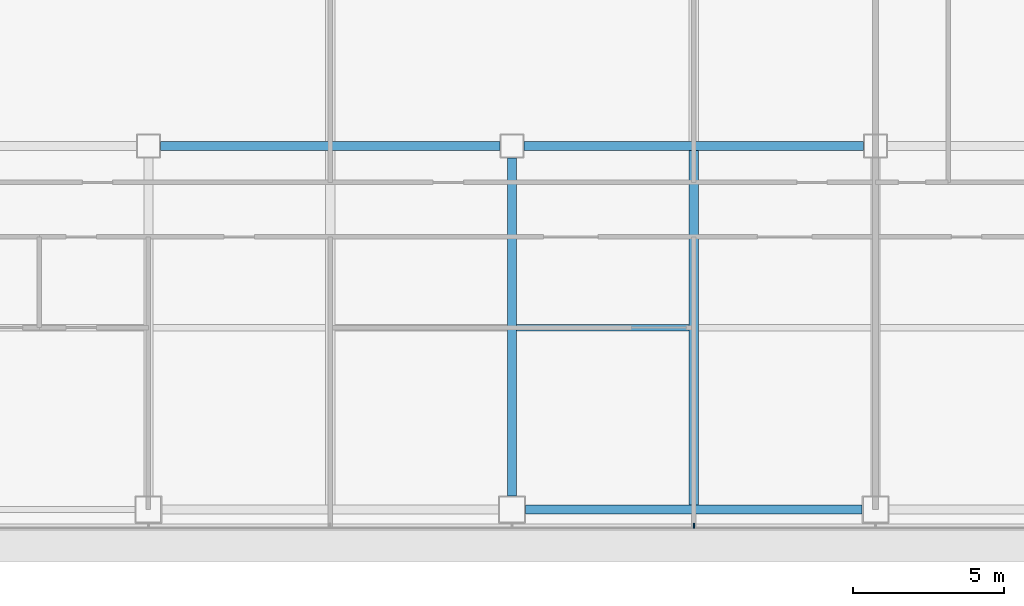
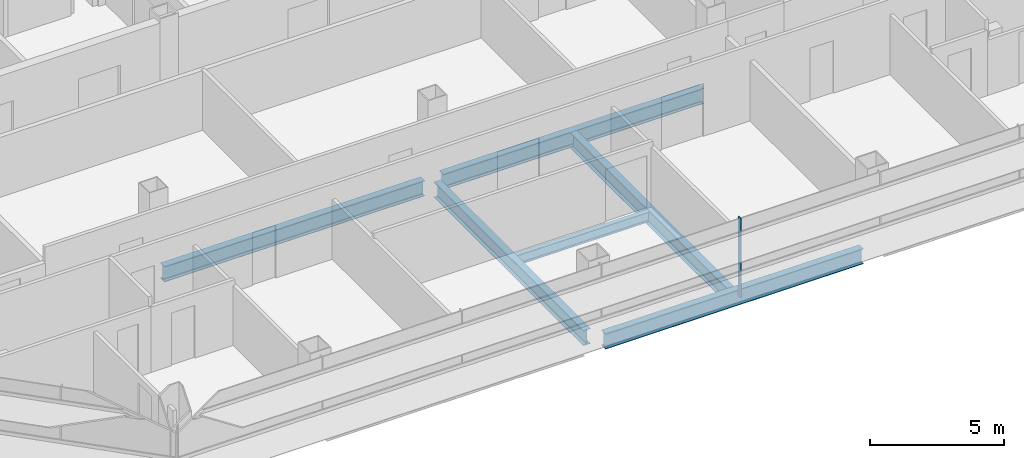
# One storey, part 3 of 27: 6 beams, 1 member, 1 element without a shape of its own.
"""IFC4 building model written with IfcOpenShell, lengths in metres."""

from ifc_helpers import new_model, si_unit, direction, frame, origin, origin_2d, place, context, subcontext, project, spatial, rectangle, i_section, extrude, material, material_profile, profile_set, type_object, element, aggregate, save


model = new_model("IFC4")

# Units and contexts
model_context = context("Model", 3, precision=1e-05, world=origin(), true_north=direction((0.0, 1.0)))
body_context = subcontext(model_context, "Body", "Model", "MODEL_VIEW")
ifc_project = project(units=[si_unit("LENGTHUNIT", "METRE"), si_unit("AREAUNIT", "SQUARE_METRE"), si_unit("VOLUMEUNIT", "CUBIC_METRE"), si_unit("PLANEANGLEUNIT", "RADIAN"), si_unit("MASSUNIT", "GRAM", prefix="KILO")], contexts=[model_context])

# Site, building, storey
site_placement = place(None, origin())
site = spatial("IfcSite", under=ifc_project, at=site_placement, CompositionType="ELEMENT")
building_placement = place(site_placement, origin())
building = spatial("IfcBuilding", under=site, at=building_placement, Name="Sorahane Residences", CompositionType="ELEMENT")
storey_placement = place(building_placement, frame((0.0, 0.0, 53.39990234375)))
storey = spatial("IfcBuildingStorey", under=building, at=storey_placement, Name="L09", CompositionType="ELEMENT", Elevation=53.39990234375)

# Curtain wall, member
ifc_material_1 = material(Name="Dark low-e glass and black anodised aluminium", Category="aluminium")
curtain_wall_type = type_object("IfcCurtainWallType", Name="Curtain wall CW-1 Typical unitised wall", PredefinedType="NOTDEFINED", material=ifc_material_1)
curtain_wall_placement = place(storey_placement, origin())
curtain_wall = element("IfcCurtainWall", 1, at=curtain_wall_placement, inside=storey, type_object=curtain_wall_type, Name="CW-1 curtain wall L09 S1", PredefinedType="NOTDEFINED")
ifc_material_2 = material(Name="Black anodised aluminium", Category="aluminium")
ifc_material_profile_1 = material_profile(ifc_material_2, rectangle(XDim=0.159912109375, YDim=0.050048828125, at=origin_2d()), Name="Curtain wall mullion CW-1 black anodised aluminium 50x160")
ifc_profile_set_1 = profile_set([ifc_material_profile_1], Name="Black anodised aluminium")
member_type = type_object("IfcMemberType", Name="Curtain wall mullion CW-1 black anodised aluminium 50x160", PredefinedType="MULLION", material=ifc_profile_set_1)
member_placement = place(storey_placement, frame((30.0, -0.5400390625, -0.179931640625), z_axis=(0.0, 0.0, 1.0), x_axis=(0.0, -1.0, 0.0)))
member = element("IfcMember", 2, at=member_placement, type_object=member_type, Name="CW-1 mullion L09 S1.5", PredefinedType="MULLION", context=body_context, shape_type="SweptSolid", body=[
    extrude(rectangle(XDim=0.159912109375, YDim=0.050048828125, at=origin_2d()), origin(), (0.0, 0.0, 1.0), 3.60009765625),
])
aggregate(curtain_wall, [member])

# Beams
ifc_material_3 = material(Name="Steel Q355B", Category="steel")
ifc_material_profile_2 = material_profile(ifc_material_3, i_section(OverallWidth=0.199951171875, OverallDepth=0.449951171875, WebThickness=0.009033203125, FlangeThickness=0.013916015625, FilletRadius=0.02001953125, at=origin_2d()), Name="HN 450x200x9x14")
ifc_profile_set_2 = profile_set([ifc_material_profile_2], Name="Steel Q355B")
beam_type_1 = type_object("IfcBeamType", Name="Steel floor beam HN 450x200x9x14 Q355B", PredefinedType="BEAM", material=ifc_profile_set_2)
beam_1_placement = place(storey_placement, frame((24.14990234375, 6.0, -0.40478515625), z_axis=(1.0, 0.0, 0.0), x_axis=(0.0, 1.0, 0.0)))
element("IfcBeam", 3, at=beam_1_placement, inside=storey, type_object=beam_type_1, Name="Beam L09 065", PredefinedType="BEAM", context=body_context, shape_type="SweptSolid", body=[
    extrude(i_section(OverallWidth=0.199951171875, OverallDepth=0.449951171875, WebThickness=0.009033203125, FlangeThickness=0.013916015625, FilletRadius=0.02001953125, at=origin_2d()), origin(), (0.0, 0.0, 1.0), 5.7001953125),
])
ifc_material_4 = material(Name="Steel Q355B", Category="steel")
ifc_material_profile_3 = material_profile(ifc_material_4, i_section(OverallWidth=0.300048828125, OverallDepth=0.699951171875, WebThickness=0.012939453125, FlangeThickness=0.02392578125, FilletRadius=0.028076171875, at=origin_2d()), Name="HN 700x300x13x24")
ifc_profile_set_3 = profile_set([ifc_material_profile_3], Name="Steel Q355B")
beam_type_2 = type_object("IfcBeamType", Name="Steel floor beam HN 700x300x13x24 Q355B", PredefinedType="BEAM", material=ifc_profile_set_3)
beam_2_placement = place(storey_placement, frame((24.449951171875, 0.0, -0.52978515625), z_axis=(1.0, 0.0, 0.0), x_axis=(0.0, 1.0, 0.0)))
element("IfcBeam", 4, at=beam_2_placement, inside=storey, type_object=beam_type_2, Name="Beam L09 002", PredefinedType="BEAM", context=body_context, shape_type="SweptSolid", body=[
    extrude(i_section(OverallWidth=0.300048828125, OverallDepth=0.699951171875, WebThickness=0.012939453125, FlangeThickness=0.02392578125, FilletRadius=0.028076171875, at=origin_2d()), origin(), (0.0, 0.0, 1.0), 11.10009765625),
])
for number, where, z_axis, x_axis, name in (
    (5, (12.39990234375, 12.0, -0.52978515625), (1.0, 0.0, 0.0), (0.0, 1.0, 0.0), "Beam L09 006"),
    (6, (24.39990234375, 12.0, -0.52978515625), (1.0, 0.0, 0.0), (0.0, 1.0, 0.0), "Beam L09 007"),
):
    element("IfcBeam", number, at=place(storey_placement, frame(where, z_axis=z_axis, x_axis=x_axis)), inside=storey, type_object=beam_type_2, Name=name, PredefinedType="BEAM", context=body_context, shape_type="SweptSolid", body=[
        extrude(i_section(OverallWidth=0.300048828125, OverallDepth=0.699951171875, WebThickness=0.012939453125, FlangeThickness=0.02392578125, FilletRadius=0.028076171875, at=origin_2d()), origin(), (0.0, 0.0, 1.0), 11.2001953125),
    ])
beam_3_placement = place(storey_placement, frame((24.0, 0.449951171875, -0.52978515625), z_axis=(0.0, 1.0, 0.0), x_axis=(-1.0, 0.0, 0.0)))
element("IfcBeam", 7, at=beam_3_placement, inside=storey, type_object=beam_type_2, Name="Beam L09 035", PredefinedType="BEAM", context=body_context, shape_type="SweptSolid", body=[
    extrude(i_section(OverallWidth=0.300048828125, OverallDepth=0.699951171875, WebThickness=0.012939453125, FlangeThickness=0.02392578125, FilletRadius=0.028076171875, at=origin_2d()), origin(), (0.0, 0.0, 1.0), 11.150146484375),
])
beam_4_placement = place(storey_placement, frame((30.0, 0.14990234375, -0.52978515625), z_axis=(0.0, 1.0, 0.0), x_axis=(-1.0, 0.0, 0.0)))
element("IfcBeam", 8, at=beam_4_placement, inside=storey, type_object=beam_type_2, Name="Beam L09 037", PredefinedType="BEAM", context=body_context, shape_type="SweptSolid", body=[
    extrude(i_section(OverallWidth=0.300048828125, OverallDepth=0.699951171875, WebThickness=0.012939453125, FlangeThickness=0.02392578125, FilletRadius=0.028076171875, at=origin_2d()), origin(), (0.0, 0.0, 1.0), 11.7001953125),
])

save(model, "model.ifc")
